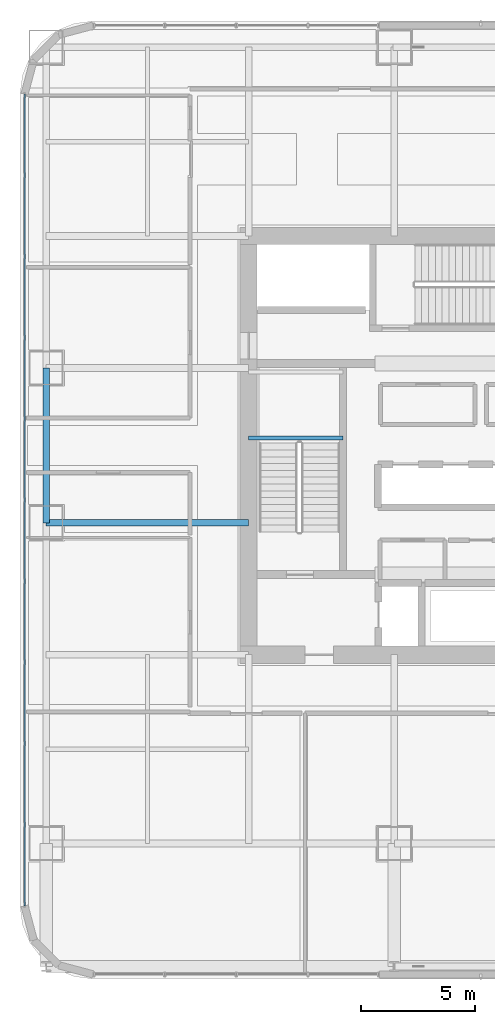
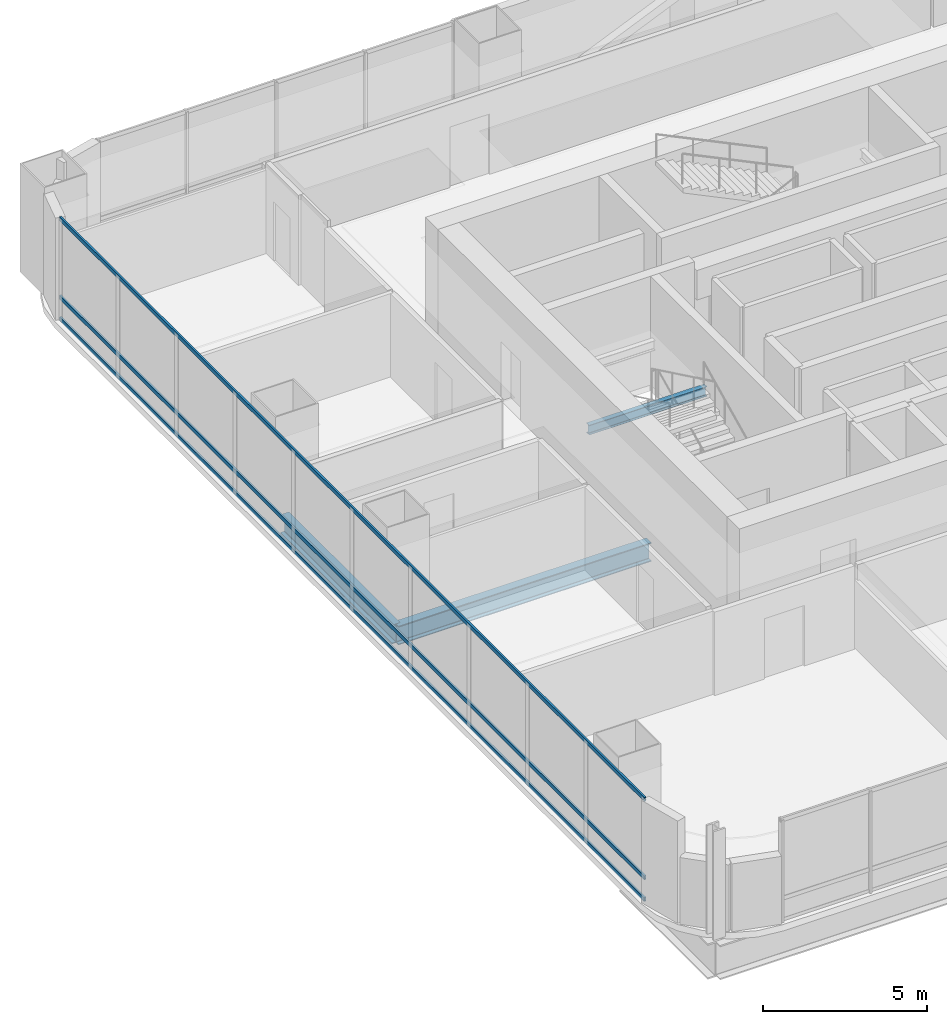
# One storey, part 8 of 40: 3 beams, 3 members, 1 element without a shape of its own.
"""IFC4 building model written with IfcOpenShell, lengths in metres."""

from ifc_helpers import new_model, si_unit, direction, frame, origin, origin_2d, place, context, subcontext, project, spatial, hollow_rectangle, i_section, extrude, material, material_profile, profile_set, type_object, element, aggregate, save


model = new_model("IFC4")

# Units and contexts
model_context = context("Model", 3, precision=1e-05, world=origin(), true_north=direction((0.0, 1.0)))
body_context = subcontext(model_context, "Body", "Model", "MODEL_VIEW")
ifc_project = project(units=[si_unit("LENGTHUNIT", "METRE"), si_unit("AREAUNIT", "SQUARE_METRE"), si_unit("VOLUMEUNIT", "CUBIC_METRE"), si_unit("PLANEANGLEUNIT", "RADIAN"), si_unit("MASSUNIT", "GRAM", prefix="KILO")], contexts=[model_context])

# Site, building, storey
site_placement = place(None, origin())
site = spatial("IfcSite", under=ifc_project, at=site_placement, CompositionType="ELEMENT")
building_placement = place(site_placement, origin())
building = spatial("IfcBuilding", under=site, at=building_placement, Name="Punatoya Terracotta Tower", CompositionType="ELEMENT")
storey_placement = place(building_placement, frame((0.0, 0.0, 76.800048828125)))
storey = spatial("IfcBuildingStorey", under=building, at=storey_placement, Name="L17", CompositionType="ELEMENT", Elevation=76.800048828125)

# Beams
ifc_material_1 = material(Name="Steel S355", Category="steel")
ifc_material_profile_1 = material_profile(ifc_material_1, i_section(OverallWidth=0.300048828125, OverallDepth=0.699951171875, WebThickness=0.01708984375, FlangeThickness=0.031982421875, FilletRadius=0.01806640625, at=origin_2d()))
ifc_profile_set_1 = profile_set([ifc_material_profile_1], Name="Steel S355")
beam_type_1 = type_object("IfcBeamType", Name="BM-PRI-700", PredefinedType="BEAM", material=ifc_profile_set_1)
beam_1_placement = place(storey_placement, frame((-19.10009765625, -3.39990234375, -0.590087890625), z_axis=(0.0, 1.0, 0.0), x_axis=(-1.0, 0.0, 0.0)))
element("IfcBeam", 1, at=beam_1_placement, inside=storey, type_object=beam_type_1, Name="BM-L17-RG-W2", PredefinedType="BEAM", context=body_context, shape_type="SweptSolid", body=[
    extrude(i_section(OverallWidth=0.300048828125, OverallDepth=0.699951171875, WebThickness=0.01708984375, FlangeThickness=0.031982421875, FilletRadius=0.01806640625, at=origin_2d()), origin(), (0.0, 0.0, 1.0), 6.7998046875),
])
beam_2_placement = place(storey_placement, frame((-19.10009765625, -3.39990234375, -0.590087890625), z_axis=(1.0, 0.0, 0.0), x_axis=(0.0, 1.0, 0.0)))
element("IfcBeam", 2, at=beam_2_placement, inside=storey, type_object=beam_type_1, Name="BM-L17-PR-WD", PredefinedType="BEAM", context=body_context, shape_type="SweptSolid", body=[
    extrude(i_section(OverallWidth=0.300048828125, OverallDepth=0.699951171875, WebThickness=0.01708984375, FlangeThickness=0.031982421875, FilletRadius=0.01806640625, at=origin_2d()), origin(), (0.0, 0.0, 1.0), 8.900146484375),
])
ifc_material_profile_2 = material_profile(ifc_material_1, i_section(OverallWidth=0.169921875, OverallDepth=0.360107421875, WebThickness=0.008056640625, FlangeThickness=0.0126953125, FilletRadius=0.01806640625, at=origin_2d()))
ifc_profile_set_2 = profile_set([ifc_material_profile_2], Name="Steel S355")
beam_type_2 = type_object("IfcBeamType", Name="BM-SEC-360", PredefinedType="JOIST", material=ifc_profile_set_2)
beam_3_placement = place(storey_placement, frame((-10.199951171875, 0.320068359375, 1.64501953125), z_axis=(1.0, 0.0, 0.0), x_axis=(0.0, 1.0, 0.0)))
element("IfcBeam", 3, at=beam_3_placement, inside=storey, type_object=beam_type_2, Name="BM-L17-ST-1-LD1A", PredefinedType="JOIST", context=body_context, shape_type="SweptSolid", body=[
    extrude(i_section(OverallWidth=0.169921875, OverallDepth=0.360107421875, WebThickness=0.008056640625, FlangeThickness=0.0126953125, FilletRadius=0.01806640625, at=origin_2d()), origin(), (0.0, 0.0, 1.0), 4.14990234375),
])

# Curtain wall, members
ifc_material_2 = material(Name="Aluminium 6063-T6 + Double Low-E Glass", Category="aluminium")
curtain_wall_type = type_object("IfcCurtainWallType", Name="CW-M1", PredefinedType="NOTDEFINED", material=ifc_material_2)
curtain_wall_placement = place(storey_placement, origin())
curtain_wall = element("IfcCurtainWall", 4, at=curtain_wall_placement, inside=storey, type_object=curtain_wall_type, Name="L17 Curtain Wall CW-L17-W13-1", PredefinedType="NOTDEFINED")
ifc_material_3 = material(Name="Aluminium 6063-T6", Category="aluminium")
ifc_material_profile_3 = material_profile(ifc_material_3, hollow_rectangle(XDim=0.068115234375, YDim=0.14990234375, WallThickness=0.00390625, at=origin_2d()))
ifc_profile_set_3 = profile_set([ifc_material_profile_3], Name="Aluminium 6063-T6")
member_type = type_object("IfcMemberType", Name="CW-TRN-TYP", PredefinedType="USERDEFINED", material=ifc_profile_set_3)
member_1_placement = place(storey_placement, frame((-20.050048828125, 15.43701171875, 0.0400390625), z_axis=(0.0, -1.0, 0.0), x_axis=(1.0, 0.0, 0.0)))
member_1 = element("IfcMember", 5, at=member_1_placement, type_object=member_type, Name="CW-L17-W13-1 Transom 1", ObjectType="TRANSOM", PredefinedType="USERDEFINED", context=body_context, shape_type="SweptSolid", body=[
    extrude(hollow_rectangle(XDim=0.068115234375, YDim=0.14990234375, WallThickness=0.00390625, at=origin_2d()), origin(), (0.0, 0.0, 1.0), 35.673828125),
])
member_2_placement = place(storey_placement, frame((-20.050048828125, 15.43701171875, 0.849853515625), z_axis=(0.0, -1.0, 0.0), x_axis=(1.0, 0.0, 0.0)))
member_2 = element("IfcMember", 6, at=member_2_placement, type_object=member_type, Name="CW-L17-W13-1 Transom 2", ObjectType="TRANSOM", PredefinedType="USERDEFINED", context=body_context, shape_type="SweptSolid", body=[
    extrude(hollow_rectangle(XDim=0.068115234375, YDim=0.14990234375, WallThickness=0.00390625, at=origin_2d()), origin(), (0.0, 0.0, 1.0), 35.673828125),
])
member_3_placement = place(storey_placement, frame((-20.050048828125, 15.43701171875, 3.77001953125), z_axis=(0.0, -1.0, 0.0), x_axis=(1.0, 0.0, 0.0)))
member_3 = element("IfcMember", 7, at=member_3_placement, type_object=member_type, Name="CW-L17-W13-1 Transom 3", ObjectType="TRANSOM", PredefinedType="USERDEFINED", context=body_context, shape_type="SweptSolid", body=[
    extrude(hollow_rectangle(XDim=0.068115234375, YDim=0.14990234375, WallThickness=0.00390625, at=origin_2d()), origin(), (0.0, 0.0, 1.0), 35.673828125),
])
aggregate(curtain_wall, [member_1, member_2, member_3])

save(model, "model.ifc")
